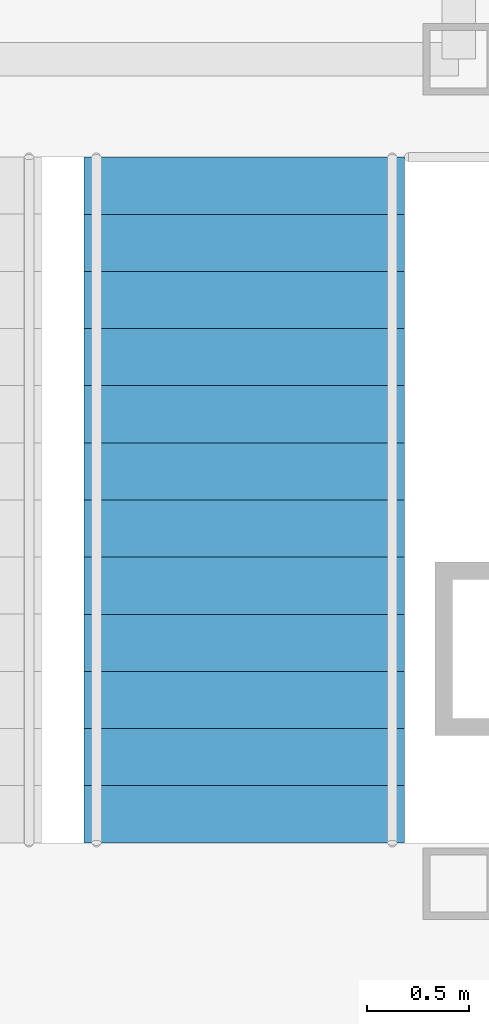
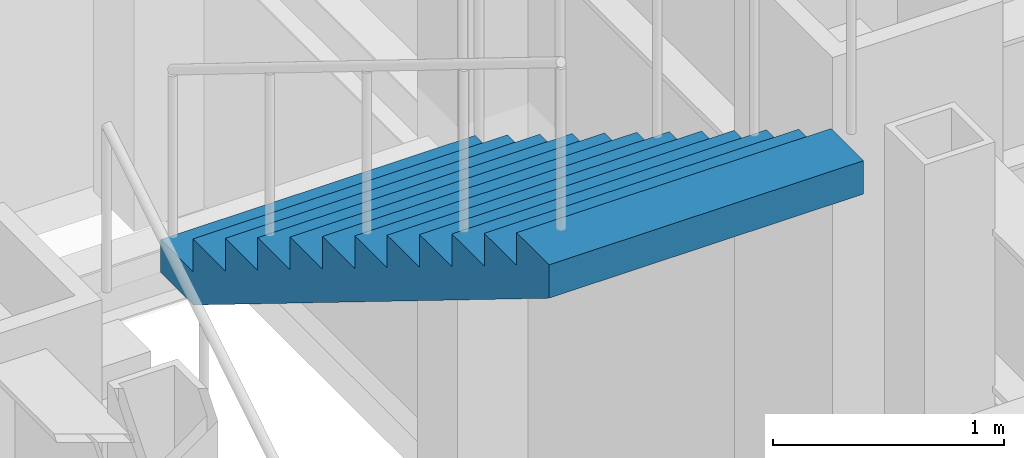
# One storey, part 13 of 16: 1 stair flight, 1 element without a shape of its own.
"""IFC4 building model written with IfcOpenShell, lengths in metres."""

import ifcopenshell
import ifcopenshell.guid

model = None  # the IFC model being written
_history = None  # IfcOwnerHistory: only IFC2X3 demands one
_inside = {}  # id of a spatial element -> (the spatial element, [elements in it])
_under = {}  # id of a project, library or spatial element -> (it, [spatial elements below it])
_declared = {}  # id of a project -> (the project, [libraries it declares])
_typed = {}  # id of a type object -> (the type object, [elements of that type])
_made_of = {}  # id of a material, layer set ... -> (it, [elements and type objects made of it])


def new_model(schema):
    """Start an empty IFC model of exactly this schema.

    Asked for "IFC4X3", IfcOpenShell would pick the latest addendum, in which some entities
    have other attributes; the version numbers below select the first issue.
    IFC2X3 requires an IfcOwnerHistory on every rooted entity: one is made here for all.
    """
    global model, _history
    if schema == "IFC4X3":
        model = ifcopenshell.file(schema_version=(4, 3, 0, 0))
    else:
        model = ifcopenshell.file(schema=schema)
    _inside.clear()
    _under.clear()
    _declared.clear()
    _typed.clear()
    _made_of.clear()
    _history = None
    if model.schema == "IFC2X3":
        org = make("IfcOrganization", Name="unknown")
        user = make(
            "IfcPersonAndOrganization",
            ThePerson=make("IfcPerson", FamilyName="unknown"),
            TheOrganization=org,
        )
        app = make(
            "IfcApplication",
            ApplicationDeveloper=org,
            Version="unknown",
            ApplicationFullName="unknown",
            ApplicationIdentifier="unknown",
        )
        _history = make(
            "IfcOwnerHistory",
            OwningUser=user,
            OwningApplication=app,
            ChangeAction="ADDED",
            CreationDate=0,
        )
    return model


def make(cls, **values):
    """One entity of the class cls with the attributes given. An attribute that is None is left unset."""
    return model.create_entity(
        cls, **{name: value for name, value in values.items() if value is not None}
    )


def rooted(cls, **values):
    """An entity with a GlobalId (a new one), such as an element, a storey or a relation."""
    return make(cls, GlobalId=ifcopenshell.guid.new(), OwnerHistory=_history, **values)


def si_unit(unit_type, name, prefix=None):
    """IfcSIUnit, for example si_unit("LENGTHUNIT", "METRE", prefix="MILLI")."""
    return make("IfcSIUnit", UnitType=unit_type, Prefix=prefix, Name=name)


def assignment(units):
    """IfcUnitAssignment: the units of a project."""
    return None if units is None else make("IfcUnitAssignment", Units=units)


def point(xyz):
    """IfcCartesianPoint."""
    return None if xyz is None else make("IfcCartesianPoint", Coordinates=xyz)


def direction(xyz):
    """IfcDirection."""
    return None if xyz is None else make("IfcDirection", DirectionRatios=xyz)


def frame(location, z_axis=None, x_axis=None):
    """IfcAxis2Placement3D, a coordinate frame: its origin and axes. An axis left out is left unset."""
    return make(
        "IfcAxis2Placement3D",
        Location=point(location),
        Axis=direction(z_axis),
        RefDirection=direction(x_axis),
    )


def origin():
    """The frame at (0, 0, 0) with its axes left unset."""
    return frame((0.0, 0.0, 0.0))


def place(relative_to, where):
    """IfcLocalPlacement: puts the frame where relative to a parent placement (None: the world)."""
    return make(
        "IfcLocalPlacement", PlacementRelTo=relative_to, RelativePlacement=where
    )


def context(
    kind, dimensions, precision=None, world=None, true_north=None, identifier=None
):
    """IfcGeometricRepresentationContext, for example the 3D "Model" context."""
    return make(
        "IfcGeometricRepresentationContext",
        ContextIdentifier=identifier,
        ContextType=kind,
        CoordinateSpaceDimension=dimensions,
        Precision=precision,
        WorldCoordinateSystem=world,
        TrueNorth=true_north,
    )


def subcontext(parent, identifier, kind, view, scale=None):
    """IfcGeometricRepresentationSubContext, for example "Body" below "Model"."""
    return make(
        "IfcGeometricRepresentationSubContext",
        ContextIdentifier=identifier,
        ContextType=kind,
        ParentContext=parent,
        TargetScale=scale,
        TargetView=view,
    )


def project(units=None, contexts=None):
    """IfcProject with its units and contexts."""
    return rooted(
        "IfcProject",
        Name="project",
        RepresentationContexts=contexts,
        UnitsInContext=assignment(units),
    )


def spatial(cls, under=None, at=None, **own):
    """A site, building, storey or space (cls), placed at a placement, below another one or the project."""
    s = rooted(cls, ObjectPlacement=at, **own)
    if under is not None:
        _under.setdefault(under.id(), (under, []))[1].append(s)
    return s


def faces_of(points, faces, orient=None, outer=None):
    """IfcFace entities. A face is a list of loops; a loop is a list of indices into points, from 0.

    orient and outer hold one flag for each loop. By default every Orientation is true, the
    first loop of a face is its IfcFaceOuterBound and the others are IfcFaceBound.
    """
    made = []
    for i, loops in enumerate(faces):
        bounds = []
        for j, loop in enumerate(loops):
            is_outer = j == 0 if outer is None else outer[i][j]
            bounds.append(
                make(
                    "IfcFaceOuterBound" if is_outer else "IfcFaceBound",
                    Bound=make("IfcPolyLoop", Polygon=[points[k] for k in loop]),
                    Orientation=True if orient is None else orient[i][j],
                )
            )
        made.append(make("IfcFace", Bounds=bounds))
    return made


def faceted_brep(points, faces, orient=None, outer=None, voids=None):
    """IfcFacetedBrep: a solid bounded by flat faces; with voids (closed shells), ...WithVoids."""
    shared = [point(p) for p in points]
    hull = make("IfcClosedShell", CfsFaces=faces_of(shared, faces, orient, outer))
    if voids is None:
        return make("IfcFacetedBrep", Outer=hull)
    return make(
        "IfcFacetedBrepWithVoids",
        Outer=hull,
        Voids=[
            make(cls, CfsFaces=faces_of(shared, fs, o, b)) for cls, fs, o, b in voids
        ],
    )


def shape(context_of_items, identifier, shape_type, items):
    """IfcShapeRepresentation: the items that make up one representation, for example the "Body"."""
    return make(
        "IfcShapeRepresentation",
        ContextOfItems=context_of_items,
        RepresentationIdentifier=identifier,
        RepresentationType=shape_type,
        Items=items,
    )


def material(Name=None, Category=None):
    """IfcMaterial."""
    return make("IfcMaterial", Name=Name, Category=Category)


def made_of(thing, what):
    """Note that an element or type object is made of a material, layer set ...; save() writes the relation."""
    if what is not None:
        _made_of.setdefault(what.id(), (what, []))[1].append(thing)
    return thing


def type_object(cls, material=None, **own):
    """A type object (cls), such as IfcWallType, which elements share."""
    return made_of(rooted(cls, **own), material)


def element(
    cls,
    number,
    at=None,
    inside=None,
    cuts=None,
    type_object=None,
    material=None,
    context=None,
    identifier="Body",
    shape_type=None,
    held_by="IfcProductDefinitionShape",
    body=None,
    shapes=None,
    **own,
):
    """One element of the class cls, such as IfcWall. Its Tag is "e" and its number.

    at: its placement. inside: the storey or other place that contains it. cuts: it is an
    opening in that element (IfcRelVoidsElement). A single representation is given by context,
    identifier, shape_type and body (its items); several are given by shapes. held_by: the class
    of the entity that holds the representations. save() writes the other relations.
    """
    e = rooted(cls, Tag="e%d" % number, ObjectPlacement=at, **own)
    if body is not None:
        shapes = [shape(context, identifier, shape_type, body)]
    if shapes is not None:
        e.Representation = make(held_by, Representations=shapes)
    if inside is not None:
        _inside.setdefault(inside.id(), (inside, []))[1].append(e)
    if cuts is not None:
        rooted(
            "IfcRelVoidsElement", RelatingBuildingElement=cuts, RelatedOpeningElement=e
        )
    if type_object is not None:
        _typed.setdefault(type_object.id(), (type_object, []))[1].append(e)
    return made_of(e, material)


def aggregate(whole, parts):
    """IfcRelAggregates: a whole, such as a stair, and the parts it consists of."""
    return rooted("IfcRelAggregates", RelatingObject=whole, RelatedObjects=parts)


def save(model, path):
    """Write the relations noted so far, then the file.

    IfcRelAggregates (storeys below a building ...), IfcRelContainedInSpatialStructure (elements
    in a storey), IfcRelDefinesByType, IfcRelAssociatesMaterial and IfcRelDeclares: one each for
    every whole, place, type object, material and project.
    """
    for whole, parts in _under.values():
        aggregate(whole, parts)
    for where, things in _inside.values():
        rooted(
            "IfcRelContainedInSpatialStructure",
            RelatedElements=things,
            RelatingStructure=where,
        )
    for kind, things in _typed.values():
        rooted("IfcRelDefinesByType", RelatedObjects=things, RelatingType=kind)
    for what, things in _made_of.values():
        rooted("IfcRelAssociatesMaterial", RelatedObjects=things, RelatingMaterial=what)
    for by, libraries in _declared.values():
        rooted("IfcRelDeclares", RelatingContext=by, RelatedDefinitions=libraries)
    model.write(path)


model = new_model("IFC4")

# Units and contexts
model_context = context("Model", 3, precision=1e-05, world=origin(), true_north=direction((0.0, 1.0)))
body_context = subcontext(model_context, "Body", "Model", "MODEL_VIEW")
ifc_project = project(units=[si_unit("LENGTHUNIT", "METRE"), si_unit("AREAUNIT", "SQUARE_METRE"), si_unit("VOLUMEUNIT", "CUBIC_METRE"), si_unit("PLANEANGLEUNIT", "RADIAN"), si_unit("MASSUNIT", "GRAM", prefix="KILO")], contexts=[model_context])

# Site, building, storey
site_placement = place(None, origin())
site = spatial("IfcSite", under=ifc_project, at=site_placement, CompositionType="ELEMENT")
building_placement = place(site_placement, origin())
building = spatial("IfcBuilding", under=site, at=building_placement, Name="Chuquiago Exchange Tower", CompositionType="ELEMENT")
storey_placement = place(building_placement, frame((0.0, 0.0, 78.300048828125)))
storey = spatial("IfcBuildingStorey", under=building, at=storey_placement, Name="L16", CompositionType="ELEMENT", Elevation=78.300048828125)

# Stair, stair flight
ifc_material_1 = material(Name="Concrete C30/37, precast", Category="concrete")
stair_type = type_object("IfcStairType", Name="ST2 half-turn stair 4500", PredefinedType="HALF_TURN_STAIR", material=ifc_material_1)
stair_placement = place(storey_placement, origin())
stair = element("IfcStair", 1, at=stair_placement, inside=storey, type_object=stair_type, Name="Stair ST2 L16", PredefinedType="HALF_TURN_STAIR")
ifc_material_2 = material(Name="Concrete C30/37, precast", Category="concrete")
stair_flight_type = type_object("IfcStairFlightType", Name="ST-F flight 1570 for 4500 storey", PredefinedType="STRAIGHT", material=ifc_material_2)
stair_flight_placement = place(storey_placement, frame((31.639892578125, 26.409912109375, 2.25), z_axis=(0.0, 0.0, 1.0), x_axis=(0.0, -1.0, 0.0)))
stair_flight = element("IfcStairFlight", 2, at=stair_flight_placement, type_object=stair_flight_type, Name="ST2 flight 2", NumberOfRisers=13, NumberOfTreads=12, PredefinedType="STRAIGHT", RiserHeight=0.173076923, TreadLength=0.28, context=body_context, shape_type="Brep", body=[
    faceted_brep([(0.0, 0.78515625, 0.0), (0.0, 0.78515625, 0.173095703125), (0.280029296875, 0.78515625, 0.173095703125), (0.280029296875, 0.78515625, 0.34619140625), (0.56005859375, 0.78515625, 0.34619140625), (0.56005859375, 0.78515625, 0.519287109375), (0.840087890625, 0.78515625, 0.519287109375), (0.840087890625, 0.78515625, 0.6923828125), (1.1201171875, 0.78515625, 0.6923828125), (1.1201171875, 0.78515625, 0.865478515625), (1.39990234375, 0.78515625, 0.865478515625), (1.39990234375, 0.78515625, 1.03857421875), (1.679931640625, 0.78515625, 1.03857421875), (1.679931640625, 0.78515625, 1.21142578125), (1.9599609375, 0.78515625, 1.21142578125), (1.9599609375, 0.78515625, 1.384521484375), (2.239990234375, 0.78515625, 1.384521484375), (2.239990234375, 0.78515625, 1.5576171875), (2.52001953125, 0.78515625, 1.5576171875), (2.52001953125, 0.78515625, 1.730712890625), (2.800048828125, 0.78515625, 1.730712890625), (2.800048828125, 0.78515625, 1.90380859375), (3.080078125, 0.78515625, 1.90380859375), (3.080078125, 0.78515625, 2.076904296875), (3.360107421875, 0.78515625, 2.076904296875), (3.360107421875, 0.78515625, 1.900634765625), (0.28515625, 0.78515625, 0.0), (0.28515625, -0.78515625, 0.0), (3.360107421875, -0.78515625, 1.900634765625), (3.360107421875, -0.78515625, 2.076904296875), (3.080078125, -0.78515625, 2.076904296875), (3.080078125, -0.78515625, 1.90380859375), (2.800048828125, -0.78515625, 1.90380859375), (2.800048828125, -0.78515625, 1.730712890625), (2.52001953125, -0.78515625, 1.730712890625), (2.52001953125, -0.78515625, 1.5576171875), (2.239990234375, -0.78515625, 1.5576171875), (2.239990234375, -0.78515625, 1.384521484375), (1.9599609375, -0.78515625, 1.384521484375), (1.9599609375, -0.78515625, 1.21142578125), (1.679931640625, -0.78515625, 1.21142578125), (1.679931640625, -0.78515625, 1.03857421875), (1.39990234375, -0.78515625, 1.03857421875), (1.39990234375, -0.78515625, 0.865478515625), (1.1201171875, -0.78515625, 0.865478515625), (1.1201171875, -0.78515625, 0.6923828125), (0.840087890625, -0.78515625, 0.6923828125), (0.840087890625, -0.78515625, 0.519287109375), (0.56005859375, -0.78515625, 0.519287109375), (0.56005859375, -0.78515625, 0.34619140625), (0.280029296875, -0.78515625, 0.34619140625), (0.280029296875, -0.78515625, 0.173095703125), (0.0, -0.78515625, 0.173095703125), (0.0, -0.78515625, 0.0), (0.0, 0.392578125, 0.0), (0.0, 0.392578125, 0.173095703125), (0.0, 0.0, 0.0), (0.0, 0.0, 0.173095703125), (0.0, -0.392578125, 0.0), (0.0, -0.392578125, 0.173095703125), (0.280029296875, 0.392578125, 0.173095703125), (0.280029296875, 0.0, 0.173095703125), (0.280029296875, -0.392578125, 0.173095703125), (0.280029296875, 0.392578125, 0.34619140625), (0.280029296875, 0.0, 0.34619140625), (0.280029296875, -0.392578125, 0.34619140625), (0.56005859375, 0.392578125, 0.34619140625), (0.56005859375, 0.0, 0.34619140625), (0.56005859375, -0.392578125, 0.34619140625), (0.56005859375, 0.392578125, 0.519287109375), (0.56005859375, 0.0, 0.519287109375), (0.56005859375, -0.392578125, 0.519287109375), (0.840087890625, 0.392578125, 0.519287109375), (0.840087890625, 0.0, 0.519287109375), (0.840087890625, -0.392578125, 0.519287109375), (0.840087890625, 0.392578125, 0.6923828125), (0.840087890625, 0.0, 0.6923828125), (0.840087890625, -0.392578125, 0.6923828125), (1.1201171875, 0.392578125, 0.6923828125), (1.1201171875, 0.0, 0.6923828125), (1.1201171875, -0.392578125, 0.6923828125), (1.1201171875, 0.392578125, 0.865478515625), (1.1201171875, 0.0, 0.865478515625), (1.1201171875, -0.392578125, 0.865478515625), (1.39990234375, 0.392578125, 0.865478515625), (1.39990234375, 0.0, 0.865478515625), (1.39990234375, -0.392578125, 0.865478515625), (1.39990234375, 0.392578125, 1.03857421875), (1.39990234375, 0.0, 1.03857421875), (1.39990234375, -0.392578125, 1.03857421875), (1.679931640625, 0.392578125, 1.03857421875), (1.679931640625, 0.0, 1.03857421875), (1.679931640625, -0.392578125, 1.03857421875), (1.679931640625, 0.392578125, 1.21142578125), (1.679931640625, 0.0, 1.21142578125), (1.679931640625, -0.392578125, 1.21142578125), (1.9599609375, 0.392578125, 1.21142578125), (1.9599609375, 0.0, 1.21142578125), (1.9599609375, -0.392578125, 1.21142578125), (1.9599609375, 0.392578125, 1.384521484375), (1.9599609375, 0.0, 1.384521484375), (1.9599609375, -0.392578125, 1.384521484375), (2.239990234375, 0.392578125, 1.384521484375), (2.239990234375, 0.0, 1.384521484375), (2.239990234375, -0.392578125, 1.384521484375), (2.239990234375, 0.392578125, 1.5576171875), (2.239990234375, 0.0, 1.5576171875), (2.239990234375, -0.392578125, 1.5576171875), (2.52001953125, 0.392578125, 1.5576171875), (2.52001953125, 0.0, 1.5576171875), (2.52001953125, -0.392578125, 1.5576171875), (2.52001953125, 0.392578125, 1.730712890625), (2.52001953125, 0.0, 1.730712890625), (2.52001953125, -0.392578125, 1.730712890625), (2.800048828125, 0.392578125, 1.730712890625), (2.800048828125, 0.0, 1.730712890625), (2.800048828125, -0.392578125, 1.730712890625), (2.800048828125, 0.392578125, 1.90380859375), (2.800048828125, 0.0, 1.90380859375), (2.800048828125, -0.392578125, 1.90380859375), (3.080078125, 0.392578125, 1.90380859375), (3.080078125, 0.0, 1.90380859375), (3.080078125, -0.392578125, 1.90380859375), (3.080078125, 0.392578125, 2.076904296875), (3.080078125, 0.0, 2.076904296875), (3.080078125, -0.392578125, 2.076904296875), (3.360107421875, 0.392578125, 2.076904296875), (3.360107421875, 0.0, 2.076904296875), (3.360107421875, -0.392578125, 2.076904296875), (3.360107421875, 0.392578125, 1.900634765625), (3.360107421875, 0.0, 1.900634765625), (3.360107421875, -0.392578125, 1.900634765625), (0.28515625, 0.392578125, 0.0), (0.28515625, 0.0, 0.0), (0.28515625, -0.392578125, 0.0)], [[[0, 1, 2, 3, 4, 5, 6, 7, 8, 9, 10, 11, 12, 13, 14, 15, 16, 17, 18, 19, 20, 21, 22, 23, 24, 25, 26]], [[27, 28, 29, 30, 31, 32, 33, 34, 35, 36, 37, 38, 39, 40, 41, 42, 43, 44, 45, 46, 47, 48, 49, 50, 51, 52, 53]], [[1, 0, 54, 55]], [[55, 54, 56, 57]], [[57, 56, 58, 59]], [[59, 58, 53, 52]], [[2, 1, 55, 60]], [[60, 55, 57, 61]], [[61, 57, 59, 62]], [[62, 59, 52, 51]], [[3, 2, 60, 63]], [[63, 60, 61, 64]], [[64, 61, 62, 65]], [[65, 62, 51, 50]], [[4, 3, 63, 66]], [[66, 63, 64, 67]], [[67, 64, 65, 68]], [[68, 65, 50, 49]], [[5, 4, 66, 69]], [[69, 66, 67, 70]], [[70, 67, 68, 71]], [[71, 68, 49, 48]], [[6, 5, 69, 72]], [[72, 69, 70, 73]], [[73, 70, 71, 74]], [[74, 71, 48, 47]], [[7, 6, 72, 75]], [[75, 72, 73, 76]], [[76, 73, 74, 77]], [[77, 74, 47, 46]], [[8, 7, 75, 78]], [[78, 75, 76, 79]], [[79, 76, 77, 80]], [[80, 77, 46, 45]], [[9, 8, 78, 81]], [[81, 78, 79, 82]], [[82, 79, 80, 83]], [[83, 80, 45, 44]], [[10, 9, 81, 84]], [[84, 81, 82, 85]], [[85, 82, 83, 86]], [[86, 83, 44, 43]], [[11, 10, 84, 87]], [[87, 84, 85, 88]], [[88, 85, 86, 89]], [[89, 86, 43, 42]], [[12, 11, 87, 90]], [[90, 87, 88, 91]], [[91, 88, 89, 92]], [[92, 89, 42, 41]], [[13, 12, 90, 93]], [[93, 90, 91, 94]], [[94, 91, 92, 95]], [[95, 92, 41, 40]], [[14, 13, 93, 96]], [[96, 93, 94, 97]], [[97, 94, 95, 98]], [[98, 95, 40, 39]], [[15, 14, 96, 99]], [[99, 96, 97, 100]], [[100, 97, 98, 101]], [[101, 98, 39, 38]], [[16, 15, 99, 102]], [[102, 99, 100, 103]], [[103, 100, 101, 104]], [[104, 101, 38, 37]], [[17, 16, 102, 105]], [[105, 102, 103, 106]], [[106, 103, 104, 107]], [[107, 104, 37, 36]], [[18, 17, 105, 108]], [[108, 105, 106, 109]], [[109, 106, 107, 110]], [[110, 107, 36, 35]], [[19, 18, 108, 111]], [[111, 108, 109, 112]], [[112, 109, 110, 113]], [[113, 110, 35, 34]], [[20, 19, 111, 114]], [[114, 111, 112, 115]], [[115, 112, 113, 116]], [[116, 113, 34, 33]], [[21, 20, 114, 117]], [[117, 114, 115, 118]], [[118, 115, 116, 119]], [[119, 116, 33, 32]], [[22, 21, 117, 120]], [[120, 117, 118, 121]], [[121, 118, 119, 122]], [[122, 119, 32, 31]], [[23, 22, 120, 123]], [[123, 120, 121, 124]], [[124, 121, 122, 125]], [[125, 122, 31, 30]], [[24, 23, 123, 126]], [[126, 123, 124, 127]], [[127, 124, 125, 128]], [[128, 125, 30, 29]], [[25, 24, 126, 129]], [[129, 126, 127, 130]], [[130, 127, 128, 131]], [[131, 128, 29, 28]], [[26, 25, 129, 132]], [[132, 129, 130, 133]], [[133, 130, 131, 134]], [[134, 131, 28, 27]], [[0, 26, 132, 54]], [[54, 132, 133, 56]], [[56, 133, 134, 58]], [[58, 134, 27, 53]]]),
])
aggregate(stair, [stair_flight])

save(model, "model.ifc")
